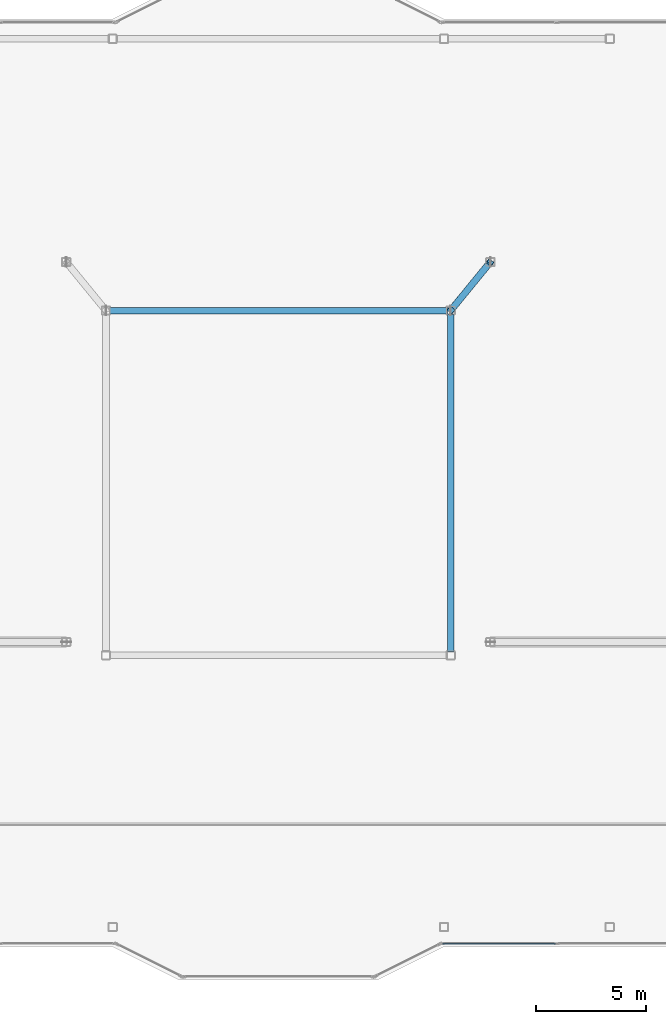
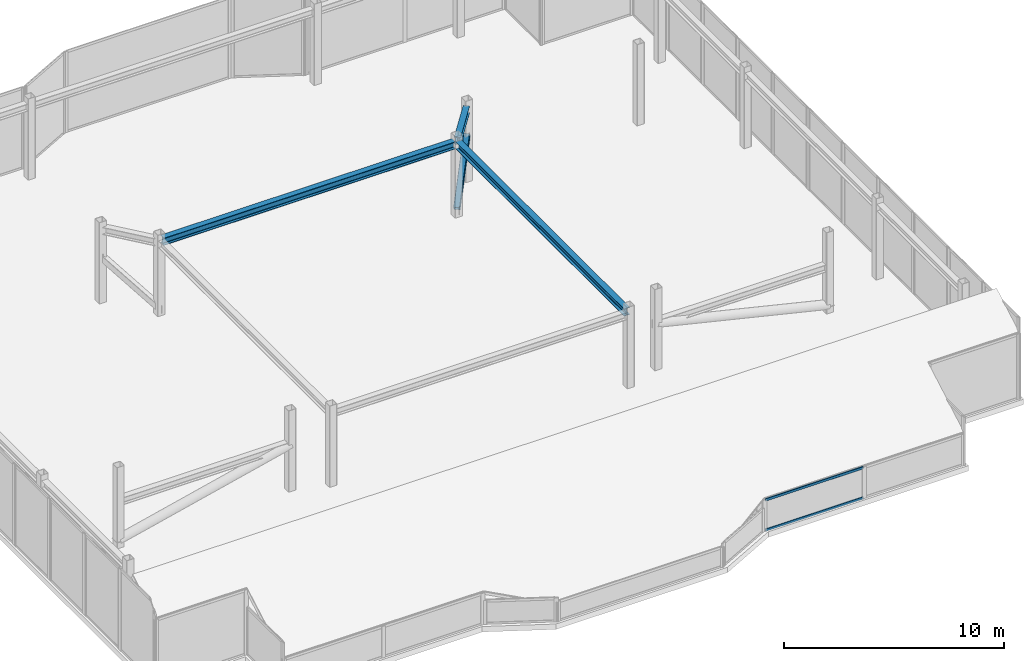
# One storey, part 7 of 16: 3 beams, 3 members, 1 element without a shape of its own.
"""IFC4 building model written with IfcOpenShell, lengths in metres."""

from ifc_helpers import new_model, si_unit, direction, frame, origin, origin_2d, place, context, subcontext, project, spatial, hollow_rectangle, i_section, extrude, material, layer, layer_set, material_profile, profile_set, type_object, element, aggregate, save


model = new_model("IFC4")

# Units and contexts
model_context = context("Model", 3, precision=1e-05, world=origin(), true_north=direction((0.0, 1.0)))
body_context = subcontext(model_context, "Body", "Model", "MODEL_VIEW")
ifc_project = project(units=[si_unit("LENGTHUNIT", "METRE"), si_unit("AREAUNIT", "SQUARE_METRE"), si_unit("VOLUMEUNIT", "CUBIC_METRE"), si_unit("PLANEANGLEUNIT", "RADIAN"), si_unit("MASSUNIT", "GRAM", prefix="KILO")], contexts=[model_context])

# Site, building, storey
site_placement = place(None, origin())
site = spatial("IfcSite", under=ifc_project, at=site_placement, CompositionType="ELEMENT")
building_placement = place(site_placement, origin())
building = spatial("IfcBuilding", under=site, at=building_placement, Name="Tarnavaz Court Tower", CompositionType="ELEMENT")
storey_placement = place(building_placement, frame((0.0, 0.0, 290.550048828125)))
storey = spatial("IfcBuildingStorey", under=building, at=storey_placement, Name="C03", CompositionType="ELEMENT", Elevation=290.550048828125)

# Beams
ifc_material_1 = material(Name="Steel S355", Category="steel")
ifc_material_profile_1 = material_profile(ifc_material_1, i_section(OverallWidth=0.300048828125, OverallDepth=0.39990234375, WebThickness=0.013427734375, FlangeThickness=0.02392578125, FilletRadius=0.027099609375, at=origin_2d()), Name="HEB 400")
ifc_profile_set_1 = profile_set([ifc_material_profile_1], Name="Steel S355")
beam_type = type_object("IfcBeamType", Name="BM-G-HEB400", PredefinedType="USERDEFINED", material=ifc_profile_set_1)
beam_1_placement = place(storey_placement, frame((-7.64990234375, 7.800048828125, 4.0), z_axis=(1.0, 0.0, 0.0), x_axis=(0.0, 1.0, 0.0)))
element("IfcBeam", 1, at=beam_1_placement, inside=storey, type_object=beam_type, Name="C03 Beam CRG-IW-NW-IW-NE", ObjectType="GIRDER", PredefinedType="USERDEFINED", context=body_context, shape_type="SweptSolid", body=[
    extrude(i_section(OverallWidth=0.300048828125, OverallDepth=0.39990234375, WebThickness=0.013427734375, FlangeThickness=0.02392578125, FilletRadius=0.027099609375, at=origin_2d()), origin(), (0.0, 0.0, 1.0), 15.2998046875),
])
beam_2_placement = place(storey_placement, frame((9.5048828125, 9.8837890625, 4.0), z_axis=(-0.633206414362, -0.773982969329, 0.0), x_axis=(0.773982969329, -0.633206414362, 0.0)))
element("IfcBeam", 2, at=beam_2_placement, inside=storey, type_object=beam_type, Name="C03 Beam CRG-CE-NI-IW-NE", ObjectType="GIRDER", PredefinedType="USERDEFINED", context=body_context, shape_type="SweptSolid", body=[
    extrude(i_section(OverallWidth=0.300048828125, OverallDepth=0.39990234375, WebThickness=0.013427734375, FlangeThickness=0.02392578125, FilletRadius=0.027099609375, at=origin_2d()), origin(), (0.0, 0.0, 1.0), 2.54248046875),
])
beam_3_placement = place(storey_placement, frame((7.800048828125, -7.64990234375, 4.0), z_axis=(0.0, 1.0, 0.0), x_axis=(-1.0, 0.0, 0.0)))
element("IfcBeam", 3, at=beam_3_placement, inside=storey, type_object=beam_type, Name="C03 Beam CRG-IW-SE-IW-NE", ObjectType="GIRDER", PredefinedType="USERDEFINED", context=body_context, shape_type="SweptSolid", body=[
    extrude(i_section(OverallWidth=0.300048828125, OverallDepth=0.39990234375, WebThickness=0.013427734375, FlangeThickness=0.02392578125, FilletRadius=0.027099609375, at=origin_2d()), origin(), (0.0, 0.0, 1.0), 15.2998046875),
])

# Curtain wall, members
ifc_material_2 = material(Name="Anodised Aluminium 6063-T6 and Solar Low-E Glazing", Category="aluminium")
ifc_layer = layer(ifc_material_2, 0.2099609375)
ifc_layer_set = layer_set([ifc_layer], Name="Anodised Aluminium 6063-T6 and Solar Low-E Glazing")
curtain_wall_type = type_object("IfcCurtainWallType", Name="CW-SYS-06", PredefinedType="NOTDEFINED", material=ifc_layer_set)
curtain_wall_placement = place(storey_placement, origin())
curtain_wall = element("IfcCurtainWall", 4, at=curtain_wall_placement, inside=storey, type_object=curtain_wall_type, Name="C03 Slanted Crown Terracotta Curtain Wall 37", PredefinedType="NOTDEFINED")
ifc_material_3 = material(Name="Anodised Aluminium 6063-T6", Category="aluminium")
ifc_material_profile_2 = material_profile(ifc_material_3, hollow_rectangle(XDim=0.06494140625, YDim=0.139892578125, WallThickness=0.00390625, InnerFilletRadius=0.00390625, OuterFilletRadius=0.008056640625, at=origin_2d()), Name="ALU RHS 140X65X4")
ifc_profile_set_2 = profile_set([ifc_material_profile_2], Name="Anodised Aluminium 6063-T6")
member_type_1 = type_object("IfcMemberType", Name="CW-TRN-140", PredefinedType="USERDEFINED", material=ifc_profile_set_2)
member_1_placement = place(storey_placement, frame((12.5576171875, -20.85009765625, 0.032470703125), z_axis=(-1.0, 0.0, 0.0), x_axis=(0.0, -1.0, 0.0)))
member_1 = element("IfcMember", 5, at=member_1_placement, type_object=member_type_1, Name="CW transom 2.1", ObjectType="TRANSOM", PredefinedType="USERDEFINED", context=body_context, shape_type="SweptSolid", body=[
    extrude(hollow_rectangle(XDim=0.06494140625, YDim=0.139892578125, WallThickness=0.00390625, InnerFilletRadius=0.00390625, OuterFilletRadius=0.008056640625, at=origin_2d()), origin(), (0.0, 0.0, 1.0), 5.12255859375),
])
member_2_placement = place(storey_placement, frame((12.5576171875, -20.85009765625, 1.710693359375), z_axis=(-1.0, 0.0, 0.0), x_axis=(0.0, -1.0, 0.0)))
member_2 = element("IfcMember", 6, at=member_2_placement, type_object=member_type_1, Name="CW transom 2.2", ObjectType="TRANSOM", PredefinedType="USERDEFINED", context=body_context, shape_type="SweptSolid", body=[
    extrude(hollow_rectangle(XDim=0.06494140625, YDim=0.139892578125, WallThickness=0.00390625, InnerFilletRadius=0.00390625, OuterFilletRadius=0.008056640625, at=origin_2d()), origin(), (0.0, 0.0, 1.0), 5.12255859375),
])
aggregate(curtain_wall, [member_1, member_2])

# Member
ifc_material_profile_3 = material_profile(ifc_material_1, hollow_rectangle(XDim=0.300048828125, YDim=0.300048828125, WallThickness=0.01611328125, InnerFilletRadius=0.01611328125, OuterFilletRadius=0.031982421875, at=origin_2d()), Name="SHS 300X300X16")
ifc_profile_set_3 = profile_set([ifc_material_profile_3], Name="Steel S355")
member_type_2 = type_object("IfcMemberType", Name="MB-CR-SHS200", PredefinedType="USERDEFINED", material=ifc_profile_set_3)
member_3_placement = place(storey_placement, frame((7.800048828125, 7.800048828125, 0.349853515625), z_axis=(0.505044427904, 0.617246078916, 0.603272246922), x_axis=(-0.773941992102, 0.633256498476, 0.0)))
element("IfcMember", 7, at=member_3_placement, inside=storey, type_object=member_type_2, Name="C03 Crown Frame E Core Brace Strut", ObjectType="CROWN FRAME", PredefinedType="USERDEFINED", context=body_context, shape_type="SweptSolid", body=[
    extrude(hollow_rectangle(XDim=0.300048828125, YDim=0.300048828125, WallThickness=0.01611328125, InnerFilletRadius=0.01611328125, OuterFilletRadius=0.031982421875, at=origin_2d()), origin(), (0.0, 0.0, 1.0), 3.564208984375),
])

save(model, "model.ifc")
